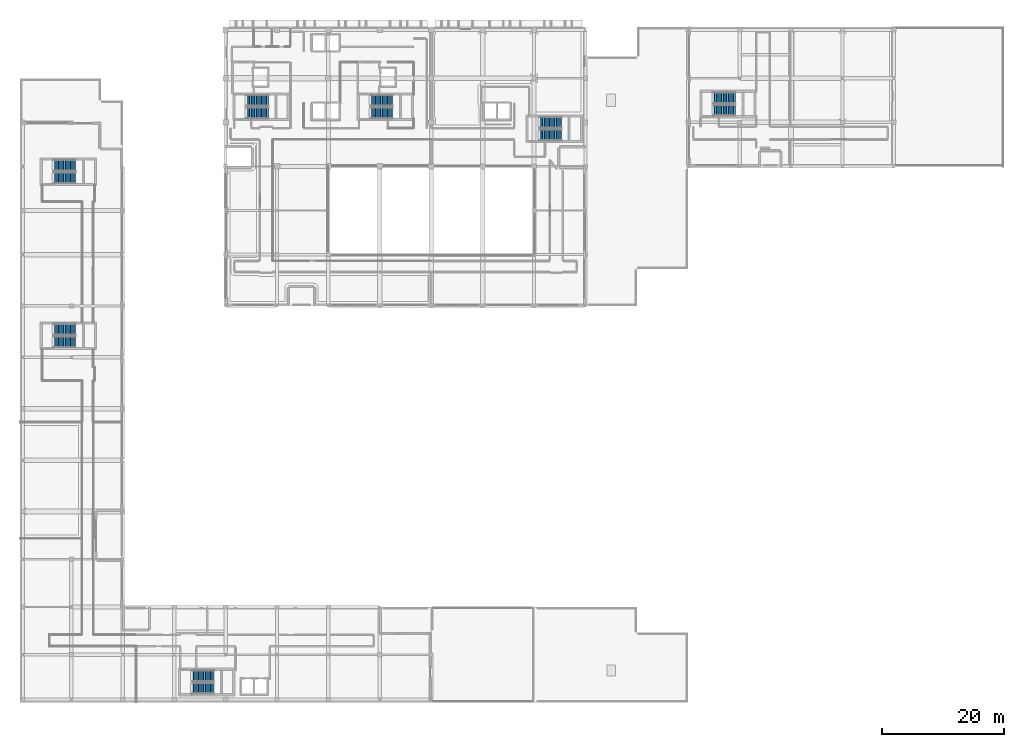
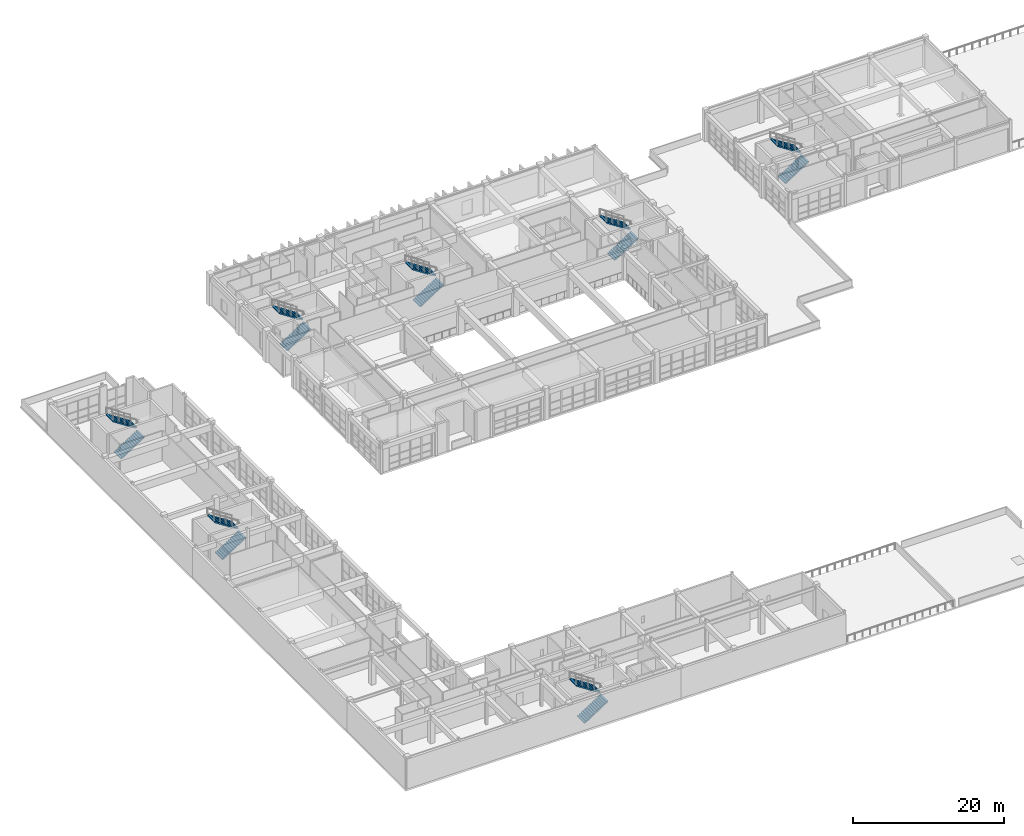
# One storey, part 67 of 78: 14 stair flights, 7 elements without a shape of their own.
"""IFC4 building model written with IfcOpenShell, lengths in metres."""

from ifc_helpers import new_model, si_unit, direction, frame, origin, place, context, subcontext, project, spatial, polyline, outline, extrude, material, type_object, element, aggregate, save


model = new_model("IFC4")

# Units and contexts
model_context = context("Model", 3, precision=1e-05, world=origin(), true_north=direction((0.0, 1.0)))
body_context = subcontext(model_context, "Body", "Model", "MODEL_VIEW")
ifc_project = project(units=[si_unit("LENGTHUNIT", "METRE"), si_unit("AREAUNIT", "SQUARE_METRE"), si_unit("VOLUMEUNIT", "CUBIC_METRE"), si_unit("PLANEANGLEUNIT", "RADIAN"), si_unit("MASSUNIT", "GRAM", prefix="KILO")], contexts=[model_context])

# Site, building, storey
site_placement = place(None, origin())
site = spatial("IfcSite", under=ifc_project, at=site_placement, CompositionType="ELEMENT")
building_placement = place(site_placement, origin())
building = spatial("IfcBuilding", under=site, at=building_placement, Name="Quendrovan Civic Courthouse", CompositionType="ELEMENT")
storey_placement = place(building_placement, frame((0.0, 0.0, 10.199951171875)))
storey = spatial("IfcBuildingStorey", under=building, at=storey_placement, Name="L03", CompositionType="ELEMENT", Elevation=10.199951171875)

# Stair, stair flights
ifc_material_1 = material(Name="Concrete C40/50", Category="concrete")
stair_type_1 = type_object("IfcStairType", Name="STR-CORE-5100", PredefinedType="HALF_TURN_STAIR", material=ifc_material_1)
stair_1_placement = place(storey_placement, origin())
stair_1 = element("IfcStair", 1, at=stair_1_placement, inside=storey, type_object=stair_type_1, Name="L03 West Judicial and Public Exit Stair 1", PredefinedType="HALF_TURN_STAIR")
stair_flight_type_1 = type_object("IfcStairFlightType", Name="FLT-CORE-5100", PredefinedType="STRAIGHT", material=ifc_material_1)
stair_flight_1_placement = place(storey_placement, frame((36.949951171875, 96.324951171875, 0.0), z_axis=(0.0, 0.0, 1.0), x_axis=(1.0, 0.0, 0.0)))
stair_flight_1 = element("IfcStairFlight", 2, at=stair_flight_1_placement, type_object=stair_flight_type_1, Name="ST1 flight 1", NumberOfRisers=14, NumberOfTreads=13, PredefinedType="STRAIGHT", RiserHeight=0.182142857, TreadLength=0.28, context=body_context, shape_type="SweptSolid", body=[
    extrude(outline(polyline([(0.0, 0.0), (0.0, 0.18212890625), (0.280029296875, 0.18212890625), (0.280029296875, 0.3642578125), (0.56005859375, 0.3642578125), (0.56005859375, 0.54638671875), (0.840087890625, 0.54638671875), (0.840087890625, 0.728515625), (1.1201171875, 0.728515625), (1.1201171875, 0.91064453125), (1.39990234375, 0.91064453125), (1.39990234375, 1.0927734375), (1.679931640625, 1.0927734375), (1.679931640625, 1.27490234375), (1.9599609375, 1.27490234375), (1.9599609375, 1.45703125), (2.239990234375, 1.45703125), (2.239990234375, 1.639404296875), (2.52001953125, 1.639404296875), (2.52001953125, 1.821533203125), (2.800048828125, 1.821533203125), (2.800048828125, 2.003662109375), (3.080078125, 2.003662109375), (3.080078125, 2.185791015625), (3.360107421875, 2.185791015625), (3.360107421875, 2.367919921875), (3.639892578125, 2.367919921875), (3.639892578125, 2.550048828125), (3.639892578125, 2.18896484375), (0.27490234375, 0.0), (0.0, 0.0)])), frame((0.0, 0.925048828125, 0.0), z_axis=(0.0, -1.0, 0.0), x_axis=(1.0, 0.0, 0.0)), (0.0, 0.0, 1.0), 1.85009765625),
])
stair_flight_2_placement = place(storey_placement, frame((40.590087890625, 98.35498046875, 2.550048828125), z_axis=(0.0, 0.0, 1.0), x_axis=(-1.0, 0.0, 0.0)))
stair_flight_2 = element("IfcStairFlight", 3, at=stair_flight_2_placement, type_object=stair_flight_type_1, Name="ST1 flight 2", NumberOfRisers=14, NumberOfTreads=13, PredefinedType="STRAIGHT", RiserHeight=0.182142857, TreadLength=0.28, context=body_context, shape_type="SweptSolid", body=[
    extrude(outline(polyline([(0.0, 0.0), (0.0, 0.18212890625), (0.280029296875, 0.18212890625), (0.280029296875, 0.3642578125), (0.56005859375, 0.3642578125), (0.56005859375, 0.54638671875), (0.840087890625, 0.54638671875), (0.840087890625, 0.728515625), (1.1201171875, 0.728515625), (1.1201171875, 0.91064453125), (1.39990234375, 0.91064453125), (1.39990234375, 1.0927734375), (1.679931640625, 1.0927734375), (1.679931640625, 1.27490234375), (1.9599609375, 1.27490234375), (1.9599609375, 1.45703125), (2.239990234375, 1.45703125), (2.239990234375, 1.639404296875), (2.52001953125, 1.639404296875), (2.52001953125, 1.821533203125), (2.800048828125, 1.821533203125), (2.800048828125, 2.003662109375), (3.080078125, 2.003662109375), (3.080078125, 2.185791015625), (3.360107421875, 2.185791015625), (3.360107421875, 2.367919921875), (3.639892578125, 2.367919921875), (3.639892578125, 2.550048828125), (3.639892578125, 2.18896484375), (0.27490234375, 0.0), (0.0, 0.0)])), frame((0.0, 0.925048828125, 0.0), z_axis=(0.0, -1.0, 0.0), x_axis=(1.0, 0.0, 0.0)), (0.0, 0.0, 1.0), 1.85009765625),
])
aggregate(stair_1, [stair_flight_1, stair_flight_2])

stair_2_placement = place(storey_placement, origin())
stair_2 = element("IfcStair", 4, at=stair_2_placement, inside=storey, type_object=stair_type_1, Name="L03 Central Judicial and Firefighting Exit Stair 2", PredefinedType="HALF_TURN_STAIR")
stair_flight_3_placement = place(storey_placement, frame((57.25, 96.324951171875, 0.0), z_axis=(0.0, 0.0, 1.0), x_axis=(1.0, 0.0, 0.0)))
stair_flight_3 = element("IfcStairFlight", 5, at=stair_flight_3_placement, type_object=stair_flight_type_1, Name="ST2 flight 1", NumberOfRisers=14, NumberOfTreads=13, PredefinedType="STRAIGHT", RiserHeight=0.182142857, TreadLength=0.28, context=body_context, shape_type="SweptSolid", body=[
    extrude(outline(polyline([(0.0, 0.0), (0.0, 0.18212890625), (0.280029296875, 0.18212890625), (0.280029296875, 0.3642578125), (0.56005859375, 0.3642578125), (0.56005859375, 0.54638671875), (0.840087890625, 0.54638671875), (0.840087890625, 0.728515625), (1.1201171875, 0.728515625), (1.1201171875, 0.91064453125), (1.39990234375, 0.91064453125), (1.39990234375, 1.0927734375), (1.679931640625, 1.0927734375), (1.679931640625, 1.27490234375), (1.9599609375, 1.27490234375), (1.9599609375, 1.45703125), (2.239990234375, 1.45703125), (2.239990234375, 1.639404296875), (2.52001953125, 1.639404296875), (2.52001953125, 1.821533203125), (2.800048828125, 1.821533203125), (2.800048828125, 2.003662109375), (3.080078125, 2.003662109375), (3.080078125, 2.185791015625), (3.360107421875, 2.185791015625), (3.360107421875, 2.367919921875), (3.639892578125, 2.367919921875), (3.639892578125, 2.550048828125), (3.639892578125, 2.18896484375), (0.27490234375, 0.0), (0.0, 0.0)])), frame((0.0, 0.925048828125, 0.0), z_axis=(0.0, -1.0, 0.0), x_axis=(1.0, 0.0, 0.0)), (0.0, 0.0, 1.0), 1.85009765625),
])
stair_flight_4_placement = place(storey_placement, frame((60.889892578125, 98.35498046875, 2.550048828125), z_axis=(0.0, 0.0, 1.0), x_axis=(-1.0, 0.0, 0.0)))
stair_flight_4 = element("IfcStairFlight", 6, at=stair_flight_4_placement, type_object=stair_flight_type_1, Name="ST2 flight 2", NumberOfRisers=14, NumberOfTreads=13, PredefinedType="STRAIGHT", RiserHeight=0.182142857, TreadLength=0.28, context=body_context, shape_type="SweptSolid", body=[
    extrude(outline(polyline([(0.0, 0.0), (0.0, 0.18212890625), (0.280029296875, 0.18212890625), (0.280029296875, 0.3642578125), (0.56005859375, 0.3642578125), (0.56005859375, 0.54638671875), (0.840087890625, 0.54638671875), (0.840087890625, 0.728515625), (1.1201171875, 0.728515625), (1.1201171875, 0.91064453125), (1.39990234375, 0.91064453125), (1.39990234375, 1.0927734375), (1.679931640625, 1.0927734375), (1.679931640625, 1.27490234375), (1.9599609375, 1.27490234375), (1.9599609375, 1.45703125), (2.239990234375, 1.45703125), (2.239990234375, 1.639404296875), (2.52001953125, 1.639404296875), (2.52001953125, 1.821533203125), (2.800048828125, 1.821533203125), (2.800048828125, 2.003662109375), (3.080078125, 2.003662109375), (3.080078125, 2.185791015625), (3.360107421875, 2.185791015625), (3.360107421875, 2.367919921875), (3.639892578125, 2.367919921875), (3.639892578125, 2.550048828125), (3.639892578125, 2.18896484375), (0.27490234375, 0.0), (0.0, 0.0)])), frame((0.0, 0.925048828125, 0.0), z_axis=(0.0, -1.0, 0.0), x_axis=(1.0, 0.0, 0.0)), (0.0, 0.0, 1.0), 1.85009765625),
])
aggregate(stair_2, [stair_flight_3, stair_flight_4])

stair_3_placement = place(storey_placement, origin())
stair_3 = element("IfcStair", 7, at=stair_3_placement, inside=storey, type_object=stair_type_1, Name="L03 East Court Block Exit Stair 3", PredefinedType="HALF_TURN_STAIR")
stair_flight_5_placement = place(storey_placement, frame((84.85009765625, 92.72509765625, 0.0), z_axis=(0.0, 0.0, 1.0), x_axis=(1.0, 0.0, 0.0)))
stair_flight_5 = element("IfcStairFlight", 8, at=stair_flight_5_placement, type_object=stair_flight_type_1, Name="ST3 flight 1", NumberOfRisers=14, NumberOfTreads=13, PredefinedType="STRAIGHT", RiserHeight=0.182142857, TreadLength=0.28, context=body_context, shape_type="SweptSolid", body=[
    extrude(outline(polyline([(0.0, 0.0), (0.0, 0.18212890625), (0.280029296875, 0.18212890625), (0.280029296875, 0.3642578125), (0.56005859375, 0.3642578125), (0.56005859375, 0.54638671875), (0.840087890625, 0.54638671875), (0.840087890625, 0.728515625), (1.1201171875, 0.728515625), (1.1201171875, 0.91064453125), (1.39990234375, 0.91064453125), (1.39990234375, 1.0927734375), (1.679931640625, 1.0927734375), (1.679931640625, 1.27490234375), (1.9599609375, 1.27490234375), (1.9599609375, 1.45703125), (2.239990234375, 1.45703125), (2.239990234375, 1.639404296875), (2.52001953125, 1.639404296875), (2.52001953125, 1.821533203125), (2.800048828125, 1.821533203125), (2.800048828125, 2.003662109375), (3.080078125, 2.003662109375), (3.080078125, 2.185791015625), (3.360107421875, 2.185791015625), (3.360107421875, 2.367919921875), (3.639892578125, 2.367919921875), (3.639892578125, 2.550048828125), (3.639892578125, 2.18896484375), (0.27490234375, 0.0), (0.0, 0.0)])), frame((0.0, 0.925048828125, 0.0), z_axis=(0.0, -1.0, 0.0), x_axis=(1.0, 0.0, 0.0)), (0.0, 0.0, 1.0), 1.85009765625),
])
stair_flight_6_placement = place(storey_placement, frame((88.489990234375, 94.7548828125, 2.550048828125), z_axis=(0.0, 0.0, 1.0), x_axis=(-1.0, 0.0, 0.0)))
stair_flight_6 = element("IfcStairFlight", 9, at=stair_flight_6_placement, type_object=stair_flight_type_1, Name="ST3 flight 2", NumberOfRisers=14, NumberOfTreads=13, PredefinedType="STRAIGHT", RiserHeight=0.182142857, TreadLength=0.28, context=body_context, shape_type="SweptSolid", body=[
    extrude(outline(polyline([(0.0, 0.0), (0.0, 0.18212890625), (0.280029296875, 0.18212890625), (0.280029296875, 0.3642578125), (0.56005859375, 0.3642578125), (0.56005859375, 0.54638671875), (0.840087890625, 0.54638671875), (0.840087890625, 0.728515625), (1.1201171875, 0.728515625), (1.1201171875, 0.91064453125), (1.39990234375, 0.91064453125), (1.39990234375, 1.0927734375), (1.679931640625, 1.0927734375), (1.679931640625, 1.27490234375), (1.9599609375, 1.27490234375), (1.9599609375, 1.45703125), (2.239990234375, 1.45703125), (2.239990234375, 1.639404296875), (2.52001953125, 1.639404296875), (2.52001953125, 1.821533203125), (2.800048828125, 1.821533203125), (2.800048828125, 2.003662109375), (3.080078125, 2.003662109375), (3.080078125, 2.185791015625), (3.360107421875, 2.185791015625), (3.360107421875, 2.367919921875), (3.639892578125, 2.367919921875), (3.639892578125, 2.550048828125), (3.639892578125, 2.18896484375), (0.27490234375, 0.0), (0.0, 0.0)])), frame((0.0, 0.925048828125, 0.0), z_axis=(0.0, -1.0, 0.0), x_axis=(1.0, 0.0, 0.0)), (0.0, 0.0, 1.0), 1.85009765625),
])
aggregate(stair_3, [stair_flight_5, stair_flight_6])

stair_4_placement = place(storey_placement, origin())
stair_4 = element("IfcStair", 10, at=stair_4_placement, inside=storey, type_object=stair_type_1, Name="L03 Law Library Wing Exit Stair 4", PredefinedType="HALF_TURN_STAIR")
stair_flight_7_placement = place(storey_placement, frame((5.449951171875, 58.925048828125, 0.0), z_axis=(0.0, 0.0, 1.0), x_axis=(1.0, 0.0, 0.0)))
stair_flight_7 = element("IfcStairFlight", 11, at=stair_flight_7_placement, type_object=stair_flight_type_1, Name="ST4 flight 1", NumberOfRisers=14, NumberOfTreads=13, PredefinedType="STRAIGHT", RiserHeight=0.182142857, TreadLength=0.28, context=body_context, shape_type="SweptSolid", body=[
    extrude(outline(polyline([(0.0, 0.0), (0.0, 0.18212890625), (0.280029296875, 0.18212890625), (0.280029296875, 0.3642578125), (0.56005859375, 0.3642578125), (0.56005859375, 0.54638671875), (0.840087890625, 0.54638671875), (0.840087890625, 0.728515625), (1.1201171875, 0.728515625), (1.1201171875, 0.91064453125), (1.39990234375, 0.91064453125), (1.39990234375, 1.0927734375), (1.679931640625, 1.0927734375), (1.679931640625, 1.27490234375), (1.9599609375, 1.27490234375), (1.9599609375, 1.45703125), (2.239990234375, 1.45703125), (2.239990234375, 1.639404296875), (2.52001953125, 1.639404296875), (2.52001953125, 1.821533203125), (2.800048828125, 1.821533203125), (2.800048828125, 2.003662109375), (3.080078125, 2.003662109375), (3.080078125, 2.185791015625), (3.360107421875, 2.185791015625), (3.360107421875, 2.367919921875), (3.639892578125, 2.367919921875), (3.639892578125, 2.550048828125), (3.639892578125, 2.18896484375), (0.27490234375, 0.0), (0.0, 0.0)])), frame((0.0, 0.925048828125, 0.0), z_axis=(0.0, -1.0, 0.0), x_axis=(1.0, 0.0, 0.0)), (0.0, 0.0, 1.0), 1.85009765625),
])
stair_flight_8_placement = place(storey_placement, frame((9.090087890625, 60.955078125, 2.550048828125), z_axis=(0.0, 0.0, 1.0), x_axis=(-1.0, 0.0, 0.0)))
stair_flight_8 = element("IfcStairFlight", 12, at=stair_flight_8_placement, type_object=stair_flight_type_1, Name="ST4 flight 2", NumberOfRisers=14, NumberOfTreads=13, PredefinedType="STRAIGHT", RiserHeight=0.182142857, TreadLength=0.28, context=body_context, shape_type="SweptSolid", body=[
    extrude(outline(polyline([(0.0, 0.0), (0.0, 0.18212890625), (0.280029296875, 0.18212890625), (0.280029296875, 0.3642578125), (0.56005859375, 0.3642578125), (0.56005859375, 0.54638671875), (0.840087890625, 0.54638671875), (0.840087890625, 0.728515625), (1.1201171875, 0.728515625), (1.1201171875, 0.91064453125), (1.39990234375, 0.91064453125), (1.39990234375, 1.0927734375), (1.679931640625, 1.0927734375), (1.679931640625, 1.27490234375), (1.9599609375, 1.27490234375), (1.9599609375, 1.45703125), (2.239990234375, 1.45703125), (2.239990234375, 1.639404296875), (2.52001953125, 1.639404296875), (2.52001953125, 1.821533203125), (2.800048828125, 1.821533203125), (2.800048828125, 2.003662109375), (3.080078125, 2.003662109375), (3.080078125, 2.185791015625), (3.360107421875, 2.185791015625), (3.360107421875, 2.367919921875), (3.639892578125, 2.367919921875), (3.639892578125, 2.550048828125), (3.639892578125, 2.18896484375), (0.27490234375, 0.0), (0.0, 0.0)])), frame((0.0, 0.925048828125, 0.0), z_axis=(0.0, -1.0, 0.0), x_axis=(1.0, 0.0, 0.0)), (0.0, 0.0, 1.0), 1.85009765625),
])
aggregate(stair_4, [stair_flight_7, stair_flight_8])

stair_5_placement = place(storey_placement, origin())
stair_5 = element("IfcStair", 13, at=stair_5_placement, inside=storey, type_object=stair_type_1, Name="L03 Custody Wing Secure Exit Stair 5", PredefinedType="HALF_TURN_STAIR")
stair_flight_9_placement = place(storey_placement, frame((28.050048828125, 2.324951171875, 0.0), z_axis=(0.0, 0.0, 1.0), x_axis=(1.0, 0.0, 0.0)))
stair_flight_9 = element("IfcStairFlight", 14, at=stair_flight_9_placement, type_object=stair_flight_type_1, Name="ST5 flight 1", NumberOfRisers=14, NumberOfTreads=13, PredefinedType="STRAIGHT", RiserHeight=0.182142857, TreadLength=0.28, context=body_context, shape_type="SweptSolid", body=[
    extrude(outline(polyline([(0.0, 0.0), (0.0, 0.18212890625), (0.280029296875, 0.18212890625), (0.280029296875, 0.3642578125), (0.56005859375, 0.3642578125), (0.56005859375, 0.54638671875), (0.840087890625, 0.54638671875), (0.840087890625, 0.728515625), (1.1201171875, 0.728515625), (1.1201171875, 0.91064453125), (1.39990234375, 0.91064453125), (1.39990234375, 1.0927734375), (1.679931640625, 1.0927734375), (1.679931640625, 1.27490234375), (1.9599609375, 1.27490234375), (1.9599609375, 1.45703125), (2.239990234375, 1.45703125), (2.239990234375, 1.639404296875), (2.52001953125, 1.639404296875), (2.52001953125, 1.821533203125), (2.800048828125, 1.821533203125), (2.800048828125, 2.003662109375), (3.080078125, 2.003662109375), (3.080078125, 2.185791015625), (3.360107421875, 2.185791015625), (3.360107421875, 2.367919921875), (3.639892578125, 2.367919921875), (3.639892578125, 2.550048828125), (3.639892578125, 2.18896484375), (0.27490234375, 0.0), (0.0, 0.0)])), frame((0.0, 0.925048828125, 0.0), z_axis=(0.0, -1.0, 0.0), x_axis=(1.0, 0.0, 0.0)), (0.0, 0.0, 1.0), 1.85009765625),
])
stair_flight_10_placement = place(storey_placement, frame((31.68994140625, 4.35498046875, 2.550048828125), z_axis=(0.0, 0.0, 1.0), x_axis=(-1.0, 0.0, 0.0)))
stair_flight_10 = element("IfcStairFlight", 15, at=stair_flight_10_placement, type_object=stair_flight_type_1, Name="ST5 flight 2", NumberOfRisers=14, NumberOfTreads=13, PredefinedType="STRAIGHT", RiserHeight=0.182142857, TreadLength=0.28, context=body_context, shape_type="SweptSolid", body=[
    extrude(outline(polyline([(0.0, 0.0), (0.0, 0.18212890625), (0.280029296875, 0.18212890625), (0.280029296875, 0.3642578125), (0.56005859375, 0.3642578125), (0.56005859375, 0.54638671875), (0.840087890625, 0.54638671875), (0.840087890625, 0.728515625), (1.1201171875, 0.728515625), (1.1201171875, 0.91064453125), (1.39990234375, 0.91064453125), (1.39990234375, 1.0927734375), (1.679931640625, 1.0927734375), (1.679931640625, 1.27490234375), (1.9599609375, 1.27490234375), (1.9599609375, 1.45703125), (2.239990234375, 1.45703125), (2.239990234375, 1.639404296875), (2.52001953125, 1.639404296875), (2.52001953125, 1.821533203125), (2.800048828125, 1.821533203125), (2.800048828125, 2.003662109375), (3.080078125, 2.003662109375), (3.080078125, 2.185791015625), (3.360107421875, 2.185791015625), (3.360107421875, 2.367919921875), (3.639892578125, 2.367919921875), (3.639892578125, 2.550048828125), (3.639892578125, 2.18896484375), (0.27490234375, 0.0), (0.0, 0.0)])), frame((0.0, 0.925048828125, 0.0), z_axis=(0.0, -1.0, 0.0), x_axis=(1.0, 0.0, 0.0)), (0.0, 0.0, 1.0), 1.85009765625),
])
aggregate(stair_5, [stair_flight_9, stair_flight_10])

stair_6_placement = place(storey_placement, origin())
stair_6 = element("IfcStair", 16, at=stair_6_placement, inside=storey, type_object=stair_type_1, Name="L03 Ceremonial Pavilion Exit Stair 6", PredefinedType="HALF_TURN_STAIR")
stair_flight_11_placement = place(storey_placement, frame((113.25, 96.77490234375, 0.0), z_axis=(0.0, 0.0, 1.0), x_axis=(1.0, 0.0, 0.0)))
stair_flight_11 = element("IfcStairFlight", 17, at=stair_flight_11_placement, type_object=stair_flight_type_1, Name="ST6 flight 1", NumberOfRisers=14, NumberOfTreads=13, PredefinedType="STRAIGHT", RiserHeight=0.182142857, TreadLength=0.28, context=body_context, shape_type="SweptSolid", body=[
    extrude(outline(polyline([(0.0, 0.0), (0.0, 0.18212890625), (0.280029296875, 0.18212890625), (0.280029296875, 0.3642578125), (0.56005859375, 0.3642578125), (0.56005859375, 0.54638671875), (0.840087890625, 0.54638671875), (0.840087890625, 0.728515625), (1.1201171875, 0.728515625), (1.1201171875, 0.91064453125), (1.39990234375, 0.91064453125), (1.39990234375, 1.0927734375), (1.679931640625, 1.0927734375), (1.679931640625, 1.27490234375), (1.9599609375, 1.27490234375), (1.9599609375, 1.45703125), (2.239990234375, 1.45703125), (2.239990234375, 1.639404296875), (2.52001953125, 1.639404296875), (2.52001953125, 1.821533203125), (2.800048828125, 1.821533203125), (2.800048828125, 2.003662109375), (3.080078125, 2.003662109375), (3.080078125, 2.185791015625), (3.360107421875, 2.185791015625), (3.360107421875, 2.367919921875), (3.639892578125, 2.367919921875), (3.639892578125, 2.550048828125), (3.639892578125, 2.18896484375), (0.27490234375, 0.0), (0.0, 0.0)])), frame((0.0, 0.925048828125, 0.0), z_axis=(0.0, -1.0, 0.0), x_axis=(1.0, 0.0, 0.0)), (0.0, 0.0, 1.0), 1.85009765625),
])
stair_flight_12_placement = place(storey_placement, frame((116.889892578125, 98.804931640625, 2.550048828125), z_axis=(0.0, 0.0, 1.0), x_axis=(-1.0, 0.0, 0.0)))
stair_flight_12 = element("IfcStairFlight", 18, at=stair_flight_12_placement, type_object=stair_flight_type_1, Name="ST6 flight 2", NumberOfRisers=14, NumberOfTreads=13, PredefinedType="STRAIGHT", RiserHeight=0.182142857, TreadLength=0.28, context=body_context, shape_type="SweptSolid", body=[
    extrude(outline(polyline([(0.0, 0.0), (0.0, 0.18212890625), (0.280029296875, 0.18212890625), (0.280029296875, 0.3642578125), (0.56005859375, 0.3642578125), (0.56005859375, 0.54638671875), (0.840087890625, 0.54638671875), (0.840087890625, 0.728515625), (1.1201171875, 0.728515625), (1.1201171875, 0.91064453125), (1.39990234375, 0.91064453125), (1.39990234375, 1.0927734375), (1.679931640625, 1.0927734375), (1.679931640625, 1.27490234375), (1.9599609375, 1.27490234375), (1.9599609375, 1.45703125), (2.239990234375, 1.45703125), (2.239990234375, 1.639404296875), (2.52001953125, 1.639404296875), (2.52001953125, 1.821533203125), (2.800048828125, 1.821533203125), (2.800048828125, 2.003662109375), (3.080078125, 2.003662109375), (3.080078125, 2.185791015625), (3.360107421875, 2.185791015625), (3.360107421875, 2.367919921875), (3.639892578125, 2.367919921875), (3.639892578125, 2.550048828125), (3.639892578125, 2.18896484375), (0.27490234375, 0.0), (0.0, 0.0)])), frame((0.0, 0.925048828125, 0.0), z_axis=(0.0, -1.0, 0.0), x_axis=(1.0, 0.0, 0.0)), (0.0, 0.0, 1.0), 1.85009765625),
])
aggregate(stair_6, [stair_flight_11, stair_flight_12])

ifc_material_2 = material(Name="Precast concrete C45/55", Category="concrete")
stair_type_2 = type_object("IfcStairType", Name="STR-FEAT-5100", PredefinedType="HALF_TURN_STAIR", material=ifc_material_2)
stair_7_placement = place(storey_placement, origin())
stair_7 = element("IfcStair", 19, at=stair_7_placement, inside=storey, type_object=stair_type_2, Name="L03 North-West Law Library Exit Stair 8", PredefinedType="HALF_TURN_STAIR")
stair_flight_type_2 = type_object("IfcStairFlightType", Name="FLT-FEAT-5100", PredefinedType="STRAIGHT", material=ifc_material_2)
stair_flight_13_placement = place(storey_placement, frame((5.449951171875, 85.72509765625, 0.0), z_axis=(0.0, 0.0, 1.0), x_axis=(1.0, 0.0, 0.0)))
stair_flight_13 = element("IfcStairFlight", 20, at=stair_flight_13_placement, type_object=stair_flight_type_2, Name="ST8 flight 1", NumberOfRisers=14, NumberOfTreads=13, PredefinedType="STRAIGHT", RiserHeight=0.182142857, TreadLength=0.28, context=body_context, shape_type="SweptSolid", body=[
    extrude(outline(polyline([(0.0, 0.0), (0.0, 0.18212890625), (0.280029296875, 0.18212890625), (0.280029296875, 0.3642578125), (0.56005859375, 0.3642578125), (0.56005859375, 0.54638671875), (0.840087890625, 0.54638671875), (0.840087890625, 0.728515625), (1.1201171875, 0.728515625), (1.1201171875, 0.91064453125), (1.39990234375, 0.91064453125), (1.39990234375, 1.0927734375), (1.679931640625, 1.0927734375), (1.679931640625, 1.27490234375), (1.9599609375, 1.27490234375), (1.9599609375, 1.45703125), (2.239990234375, 1.45703125), (2.239990234375, 1.639404296875), (2.52001953125, 1.639404296875), (2.52001953125, 1.821533203125), (2.800048828125, 1.821533203125), (2.800048828125, 2.003662109375), (3.080078125, 2.003662109375), (3.080078125, 2.185791015625), (3.360107421875, 2.185791015625), (3.360107421875, 2.367919921875), (3.639892578125, 2.367919921875), (3.639892578125, 2.550048828125), (3.639892578125, 2.18896484375), (0.27490234375, 0.0), (0.0, 0.0)])), frame((0.0, 0.925048828125, 0.0), z_axis=(0.0, -1.0, 0.0), x_axis=(1.0, 0.0, 0.0)), (0.0, 0.0, 1.0), 1.85009765625),
])
stair_flight_14_placement = place(storey_placement, frame((9.090087890625, 87.7548828125, 2.550048828125), z_axis=(0.0, 0.0, 1.0), x_axis=(-1.0, 0.0, 0.0)))
stair_flight_14 = element("IfcStairFlight", 21, at=stair_flight_14_placement, type_object=stair_flight_type_2, Name="ST8 flight 2", NumberOfRisers=14, NumberOfTreads=13, PredefinedType="STRAIGHT", RiserHeight=0.182142857, TreadLength=0.28, context=body_context, shape_type="SweptSolid", body=[
    extrude(outline(polyline([(0.0, 0.0), (0.0, 0.18212890625), (0.280029296875, 0.18212890625), (0.280029296875, 0.3642578125), (0.56005859375, 0.3642578125), (0.56005859375, 0.54638671875), (0.840087890625, 0.54638671875), (0.840087890625, 0.728515625), (1.1201171875, 0.728515625), (1.1201171875, 0.91064453125), (1.39990234375, 0.91064453125), (1.39990234375, 1.0927734375), (1.679931640625, 1.0927734375), (1.679931640625, 1.27490234375), (1.9599609375, 1.27490234375), (1.9599609375, 1.45703125), (2.239990234375, 1.45703125), (2.239990234375, 1.639404296875), (2.52001953125, 1.639404296875), (2.52001953125, 1.821533203125), (2.800048828125, 1.821533203125), (2.800048828125, 2.003662109375), (3.080078125, 2.003662109375), (3.080078125, 2.185791015625), (3.360107421875, 2.185791015625), (3.360107421875, 2.367919921875), (3.639892578125, 2.367919921875), (3.639892578125, 2.550048828125), (3.639892578125, 2.18896484375), (0.27490234375, 0.0), (0.0, 0.0)])), frame((0.0, 0.925048828125, 0.0), z_axis=(0.0, -1.0, 0.0), x_axis=(1.0, 0.0, 0.0)), (0.0, 0.0, 1.0), 1.85009765625),
])
aggregate(stair_7, [stair_flight_13, stair_flight_14])

save(model, "model.ifc")
